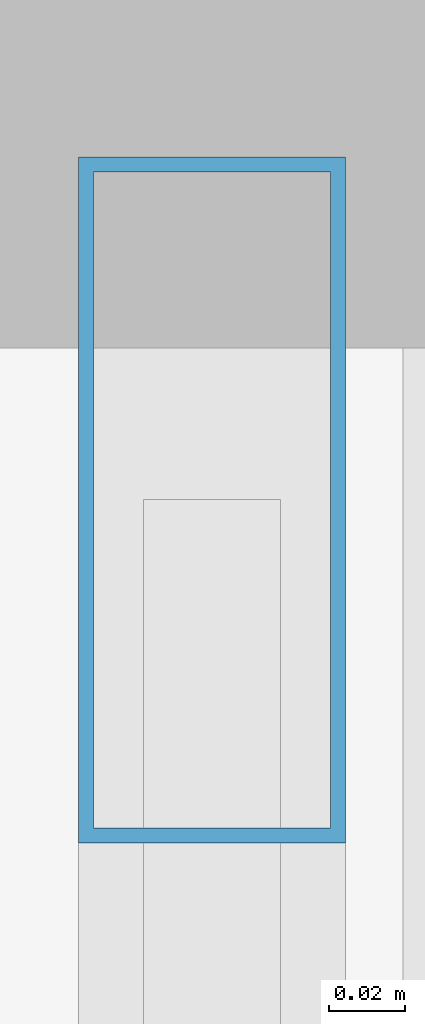
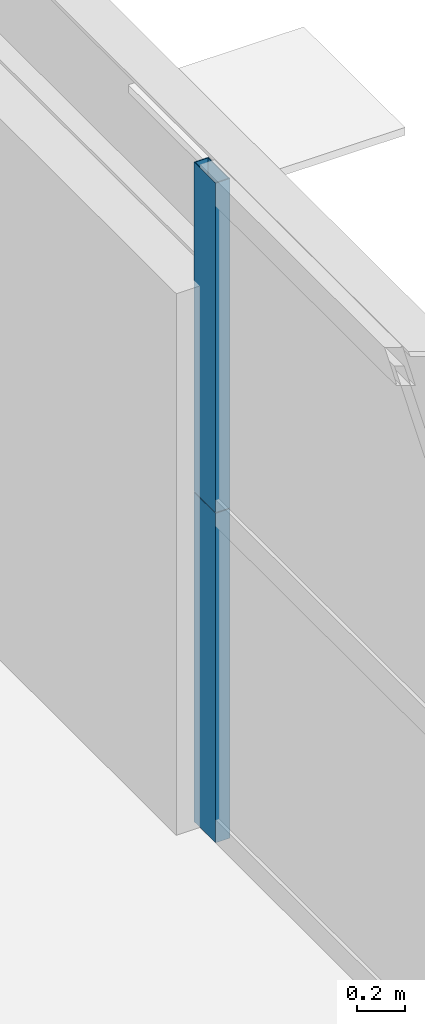
# One storey, part 34 of 43: 2 members, 1 element without a shape of its own.
"""IFC4 building model written with IfcOpenShell, lengths in metres."""

from ifc_helpers import new_model, si_unit, direction, frame, origin, origin_2d, place, context, subcontext, project, spatial, hollow_rectangle, extrude, source, transform, mapped, material, layer, layer_set, material_profile, profile_set, type_object, element, aggregate, save


model = new_model("IFC4")

# Units and contexts
model_context = context("Model", 3, precision=1e-05, world=origin(), true_north=direction((0.0, 1.0)))
body_context = subcontext(model_context, "Body", "Model", "MODEL_VIEW")
ifc_project = project(units=[si_unit("LENGTHUNIT", "METRE"), si_unit("AREAUNIT", "SQUARE_METRE"), si_unit("VOLUMEUNIT", "CUBIC_METRE"), si_unit("PLANEANGLEUNIT", "RADIAN"), si_unit("MASSUNIT", "GRAM", prefix="KILO"), si_unit("THERMODYNAMICTEMPERATUREUNIT", "KELVIN"), si_unit("POWERUNIT", "WATT")], contexts=[model_context])

# Site, building, storey
site_placement = place(None, origin())
site = spatial("IfcSite", under=ifc_project, at=site_placement, CompositionType="ELEMENT")
building_placement = place(site_placement, origin())
building = spatial("IfcBuilding", under=site, at=building_placement, Name="Yuzanri Waterfront Tower", CompositionType="ELEMENT")
storey_placement = place(building_placement, frame((0.0, 0.0, 64.0)))
storey = spatial("IfcBuildingStorey", under=building, at=storey_placement, Name="L16", CompositionType="ELEMENT", Elevation=64.0)

# Curtain wall, members
ifc_material_1 = material(Name="Anodized Architectural Bronze", Category="metal")
ifc_layer = layer(ifc_material_1, 0.159912109375)
ifc_layer_set = layer_set([ifc_layer], Name="Anodized Architectural Bronze")
curtain_wall_type = type_object("IfcCurtainWallType", Name="Anodized Bronze Hotel Lower-Tier Recessed Unitized Curtain Wall 8100", PredefinedType="NOTDEFINED", material=ifc_layer_set)
curtain_wall_placement = place(storey_placement, origin())
curtain_wall = element("IfcCurtainWall", 1, at=curtain_wall_placement, inside=storey, type_object=curtain_wall_type, Name="L16 Curtain Wall CW-L16-ER", PredefinedType="NOTDEFINED")
ifc_material_2 = material(Name="Anodized Architectural Bronze", Category="metal")
ifc_material_profile = material_profile(ifc_material_2, hollow_rectangle(XDim=0.070068359375, YDim=0.179931640625, WallThickness=0.00390625, at=origin_2d()), Name="CWM 70x180")
ifc_profile_set = profile_set([ifc_material_profile], Name="Anodized Architectural Bronze")
member_type = type_object("IfcMemberType", Name="Anodized Bronze Standard Curtain-Wall Mullion 70x180", PredefinedType="MULLION", material=ifc_profile_set)
shared_shape = source(origin(), body_context, "Body", "SweptSolid", [
    extrude(hollow_rectangle(XDim=0.070068359375, YDim=0.179931640625, WallThickness=0.00390625, at=origin_2d()), origin(), (0.0, 0.0, 1.0), 1.68798828125),
])
member_1_placement = place(storey_placement, frame((61.949951171875, 43.510009765625, 0.0), z_axis=(0.0, 0.0, 1.0), x_axis=(1.0, 0.0, 0.0)))
member_1 = element("IfcMember", 2, at=member_1_placement, type_object=member_type, Name="CW-L16-ER Lower Mullion 02", PredefinedType="MULLION", context=body_context, shape_type="MappedRepresentation", body=[
    mapped(shared_shape, transform((0.0, 0.0, 0.0), scale=1.0)),
])
member_2_placement = place(storey_placement, frame((61.949951171875, 43.510009765625, 1.69189453125), z_axis=(0.0, 0.0, 1.0), x_axis=(1.0, 0.0, 0.0)))
member_2 = element("IfcMember", 3, at=member_2_placement, type_object=member_type, Name="CW-L16-ER Upper Mullion 02", PredefinedType="MULLION", context=body_context, shape_type="MappedRepresentation", body=[
    mapped(shared_shape, transform((0.0, 0.0, 0.0), scale=1.0)),
])
aggregate(curtain_wall, [member_1, member_2])

save(model, "model.ifc")
